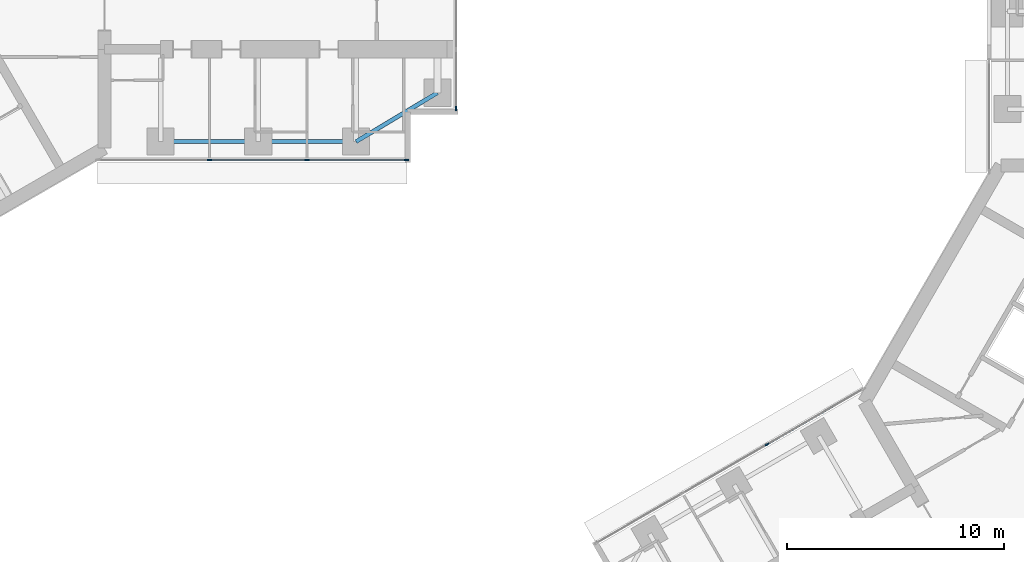
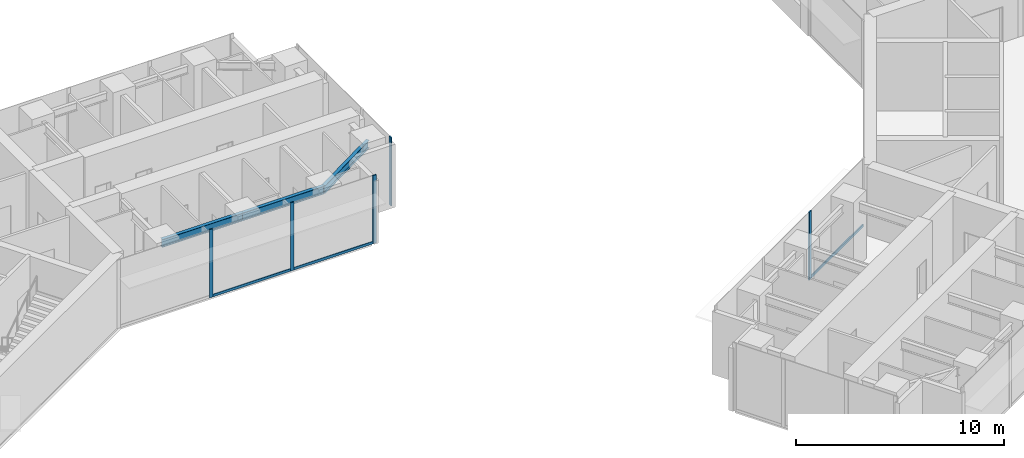
# One storey, part 4 of 23: 8 members, 3 beams, 3 elements without a shape of their own.
"""IFC4 building model written with IfcOpenShell, lengths in metres."""

from ifc_helpers import new_model, si_unit, direction, frame, origin, origin_2d, place, context, subcontext, project, spatial, rectangle, i_section, extrude, material, material_profile, profile_set, type_object, element, aggregate, save


model = new_model("IFC4")

# Units and contexts
model_context = context("Model", 3, precision=1e-05, world=origin(), true_north=direction((0.0, 1.0)))
body_context = subcontext(model_context, "Body", "Model", "MODEL_VIEW")
ifc_project = project(units=[si_unit("LENGTHUNIT", "METRE"), si_unit("AREAUNIT", "SQUARE_METRE"), si_unit("VOLUMEUNIT", "CUBIC_METRE"), si_unit("PLANEANGLEUNIT", "RADIAN"), si_unit("MASSUNIT", "GRAM", prefix="KILO")], contexts=[model_context])

# Site, building, storey
site_placement = place(None, origin())
site = spatial("IfcSite", under=ifc_project, at=site_placement, CompositionType="ELEMENT")
building_placement = place(site_placement, origin())
building = spatial("IfcBuilding", under=site, at=building_placement, Name="Upepo Twin Towers", CompositionType="ELEMENT")
storey_placement = place(building_placement, frame((0.0, 0.0, 161.5)))
storey = spatial("IfcBuildingStorey", under=building, at=storey_placement, Name="L39", CompositionType="ELEMENT", Elevation=161.5)

# Beams
ifc_material_1 = material(Name="Steel S355", Category="steel")
ifc_material_profile_1 = material_profile(ifc_material_1, i_section(OverallWidth=0.1904296875, OverallDepth=0.45703125, WebThickness=0.009033203125, FlangeThickness=0.014404296875, FilletRadius=0.01025390625, at=origin_2d()), Name="UB 457x191x74")
ifc_profile_set_1 = profile_set([ifc_material_profile_1], Name="Steel S355")
beam_type = type_object("IfcBeamType", Name="Beam UB 457x191x74", PredefinedType="BEAM", material=ifc_profile_set_1)
for number, where, z_axis, x_axis, name in (
    (1, (13.5, -6.0, 3.471435546875), (1.0, 0.0, 0.0), (0.0, 1.0, 0.0), "T1 edge beam AR 13.5-18.0"),
    (2, (18.0, -6.0, 3.471435546875), (1.0, 0.0, 0.0), (0.0, 1.0, 0.0), "T1 edge beam AR 18.0-22.5"),
):
    element("IfcBeam", number, at=place(storey_placement, frame(where, z_axis=z_axis, x_axis=x_axis)), inside=storey, type_object=beam_type, Name=name, PredefinedType="BEAM", context=body_context, shape_type="SweptSolid", body=[
        extrude(i_section(OverallWidth=0.1904296875, OverallDepth=0.45703125, WebThickness=0.009033203125, FlangeThickness=0.014404296875, FilletRadius=0.01025390625, at=origin_2d()), origin(), (0.0, 0.0, 1.0), 4.5),
    ])
beam_placement = place(storey_placement, frame((22.5, -6.0, 3.471435546875), z_axis=(0.857492925713, 0.514495755428, 0.0), x_axis=(-0.514495755428, 0.857492925713, 0.0)))
element("IfcBeam", 3, at=beam_placement, inside=storey, type_object=beam_type, Name="T1 nose edge beam AR", PredefinedType="BEAM", context=body_context, shape_type="SweptSolid", body=[
    extrude(i_section(OverallWidth=0.1904296875, OverallDepth=0.45703125, WebThickness=0.009033203125, FlangeThickness=0.014404296875, FilletRadius=0.01025390625, at=origin_2d()), origin(), (0.0, 0.0, 1.0), 4.373291015625),
])

# Curtain wall, members
ifc_material_2 = material(Name="Aluminium and fritted glass", Category="aluminium")
curtain_wall_type = type_object("IfcCurtainWallType", Name="Tower curtain wall TW2, fritted glass", PredefinedType="NOTDEFINED", material=ifc_material_2)
curtain_wall_1_placement = place(storey_placement, origin())
curtain_wall_1 = element("IfcCurtainWall", 4, at=curtain_wall_1_placement, inside=storey, type_object=curtain_wall_type, Name="T1 L39 wing A flank R curtain wall", PredefinedType="NOTDEFINED")
ifc_material_3 = material(Name="Aluminium mullion", Category="aluminium")
ifc_material_profile_2 = material_profile(ifc_material_3, rectangle(XDim=0.06494140625, YDim=0.199951171875, at=origin_2d()), Name="MULLION 65x200")
ifc_profile_set_2 = profile_set([ifc_material_profile_2], Name="Aluminium mullion")
member_type_1 = type_object("IfcMemberType", Name="Mullion 65x200 TW2", PredefinedType="MULLION", material=ifc_profile_set_2)
member_1_placement = place(storey_placement, frame((24.8173828125, -6.85009765625, 0.0), z_axis=(0.0, 0.0, 1.0), x_axis=(0.0, -1.0, 0.0)))
member_1 = element("IfcMember", 5, at=member_1_placement, type_object=member_type_1, Name="T1 L39 wing A flank R curtain wall mullion 1", PredefinedType="MULLION", context=body_context, shape_type="SweptSolid", body=[
    extrude(rectangle(XDim=0.06494140625, YDim=0.199951171875, at=origin_2d()), origin(), (0.0, 0.0, 1.0), 4.0),
])
member_2_placement = place(storey_placement, frame((20.25, -6.85009765625, 0.0), z_axis=(0.0, 0.0, 1.0), x_axis=(0.0, -1.0, 0.0)))
member_2 = element("IfcMember", 6, at=member_2_placement, type_object=member_type_1, Name="T1 L39 wing A flank R curtain wall mullion 2", PredefinedType="MULLION", context=body_context, shape_type="SweptSolid", body=[
    extrude(rectangle(XDim=0.06494140625, YDim=0.199951171875, at=origin_2d()), origin(), (0.0, 0.0, 1.0), 4.0),
])
member_3_placement = place(storey_placement, frame((15.75, -6.85009765625, 0.0), z_axis=(0.0, 0.0, 1.0), x_axis=(0.0, -1.0, 0.0)))
member_3 = element("IfcMember", 7, at=member_3_placement, type_object=member_type_1, Name="T1 L39 wing A flank R curtain wall mullion 3", PredefinedType="MULLION", context=body_context, shape_type="SweptSolid", body=[
    extrude(rectangle(XDim=0.06494140625, YDim=0.199951171875, at=origin_2d()), origin(), (0.0, 0.0, 1.0), 4.0),
])

# Curtain wall, member
curtain_wall_2_placement = place(storey_placement, origin())
curtain_wall_2 = element("IfcCurtainWall", 8, at=curtain_wall_2_placement, inside=storey, type_object=curtain_wall_type, Name="T1 L39 wing A nose curtain wall", PredefinedType="NOTDEFINED")
member_4_placement = place(storey_placement, frame((27.10009765625, -4.467529296875, 0.0), z_axis=(0.0, 0.0, 1.0), x_axis=(-1.0, 0.0, 0.0)))
member_4 = element("IfcMember", 9, at=member_4_placement, type_object=member_type_1, Name="T1 L39 wing A nose curtain wall mullion 1", PredefinedType="MULLION", context=body_context, shape_type="SweptSolid", body=[
    extrude(rectangle(XDim=0.06494140625, YDim=0.199951171875, at=origin_2d()), origin(), (0.0, 0.0, 1.0), 4.0),
])
aggregate(curtain_wall_2, [member_4])

curtain_wall_3_placement = place(storey_placement, origin())
curtain_wall_3 = element("IfcCurtainWall", 10, at=curtain_wall_3_placement, inside=storey, type_object=curtain_wall_type, Name="T2 L39 wing B flank R curtain wall", PredefinedType="NOTDEFINED")
member_5_placement = place(storey_placement, frame((41.43505859375, -19.942626953125, 0.0), z_axis=(0.0, 0.0, 1.0), x_axis=(-0.500000010308, 0.866025397833, 0.0)))
member_5 = element("IfcMember", 11, at=member_5_placement, type_object=member_type_1, Name="T2 L39 wing B flank R curtain wall mullion 3", PredefinedType="MULLION", context=body_context, shape_type="SweptSolid", body=[
    extrude(rectangle(XDim=0.06494140625, YDim=0.199951171875, at=origin_2d()), origin(), (0.0, 0.0, 1.0), 4.0),
])

# Member
ifc_material_4 = material(Name="Aluminium transom", Category="aluminium")
ifc_material_profile_3 = material_profile(ifc_material_4, rectangle(XDim=0.06494140625, YDim=0.14990234375, at=origin_2d()), Name="TRANSOM 65x150")
ifc_profile_set_3 = profile_set([ifc_material_profile_3], Name="Aluminium transom")
member_type_2 = type_object("IfcMemberType", Name="Transom 65x150 TW2", PredefinedType="USERDEFINED", material=ifc_profile_set_3)
member_6_placement = place(storey_placement, frame((24.784912109375, -6.85009765625, 0.074951171875), z_axis=(-1.0, 0.0, 0.0), x_axis=(0.0, -1.0, 0.0)))
member_6 = element("IfcMember", 12, at=member_6_placement, type_object=member_type_2, Name="T1 L39 wing A flank R curtain wall transom 1", ObjectType="TRANSOM", PredefinedType="USERDEFINED", context=body_context, shape_type="SweptSolid", body=[
    extrude(rectangle(XDim=0.06494140625, YDim=0.14990234375, at=origin_2d()), origin(), (0.0, 0.0, 1.0), 4.50244140625),
])

member_7_placement = place(storey_placement, frame((20.217529296875, -6.85009765625, 0.074951171875), z_axis=(-1.0, 0.0, 0.0), x_axis=(0.0, -1.0, 0.0)))
member_7 = element("IfcMember", 13, at=member_7_placement, type_object=member_type_2, Name="T1 L39 wing A flank R curtain wall transom 2", ObjectType="TRANSOM", PredefinedType="USERDEFINED", context=body_context, shape_type="SweptSolid", body=[
    extrude(rectangle(XDim=0.06494140625, YDim=0.14990234375, at=origin_2d()), origin(), (0.0, 0.0, 1.0), 4.43505859375),
])

aggregate(curtain_wall_1, [member_1, member_2, member_3, member_6, member_7])

member_8_placement = place(storey_placement, frame((41.463134765625, -19.926513671875, 0.074951171875), z_axis=(0.866033897268, 0.499985288567, 0.0), x_axis=(-0.499985288567, 0.866033897268, 0.0)))
member_8 = element("IfcMember", 14, at=member_8_placement, type_object=member_type_2, Name="T2 L39 wing B flank R curtain wall transom 3", ObjectType="TRANSOM", PredefinedType="USERDEFINED", context=body_context, shape_type="SweptSolid", body=[
    extrude(rectangle(XDim=0.06494140625, YDim=0.14990234375, at=origin_2d()), origin(), (0.0, 0.0, 1.0), 5.065673828125),
])

aggregate(curtain_wall_3, [member_5, member_8])

save(model, "model.ifc")
